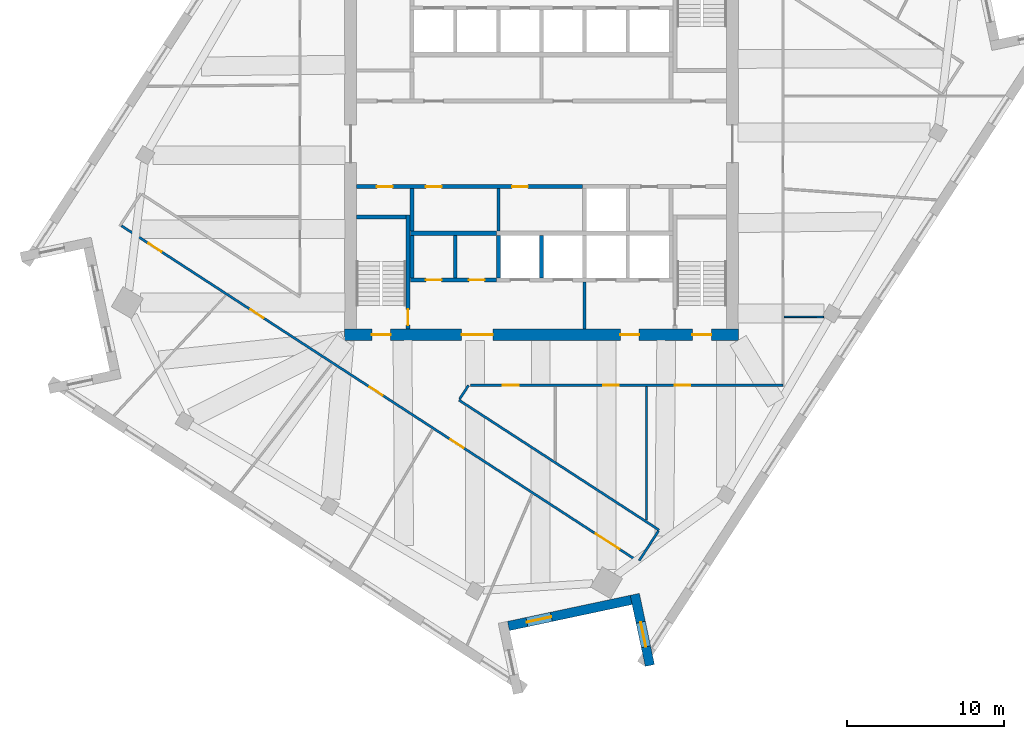
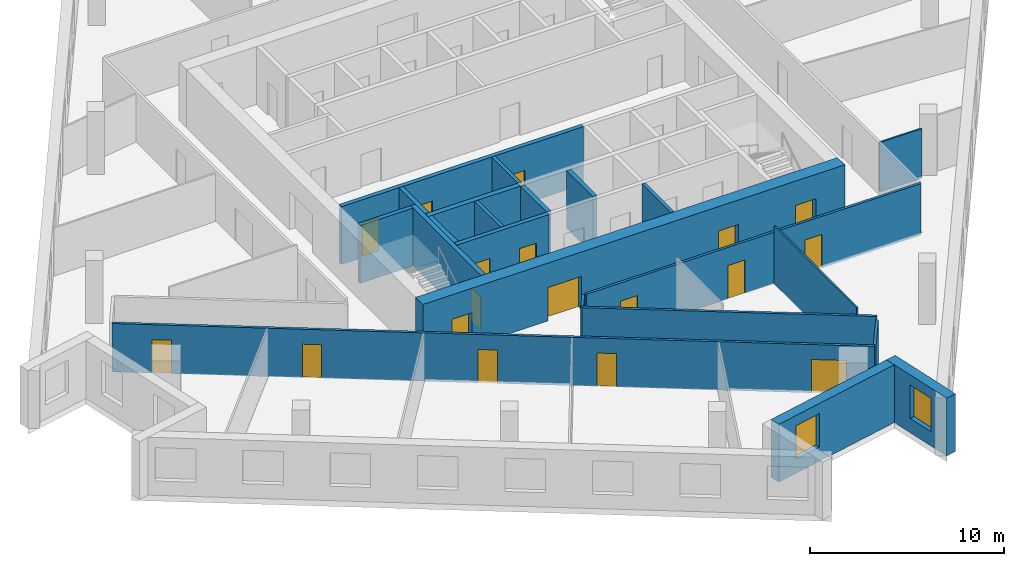
# One storey, part 6 of 12: 22 walls, 18 doors, 2 windows, 20 openings.
"""IFC4 building model written with IfcOpenShell, lengths in metres."""

from ifc_helpers import new_model, si_unit, direction, frame, frame_2d, origin, place, context, subcontext, project, spatial, rectangle, extrude, material, layer, layer_set, type_object, element, fill, save


model = new_model("IFC4")

# Units and contexts
model_context = context("Model", 3, precision=1e-05, world=origin(), true_north=direction((0.0, 1.0)))
body_context = subcontext(model_context, "Body", "Model", "MODEL_VIEW")
ifc_project = project(units=[si_unit("LENGTHUNIT", "METRE"), si_unit("AREAUNIT", "SQUARE_METRE"), si_unit("VOLUMEUNIT", "CUBIC_METRE"), si_unit("PLANEANGLEUNIT", "RADIAN"), si_unit("MASSUNIT", "GRAM", prefix="KILO")], contexts=[model_context])

# Site, building, storey
site_placement = place(None, origin())
site = spatial("IfcSite", under=ifc_project, at=site_placement, CompositionType="ELEMENT")
building_placement = place(site_placement, origin())
building = spatial("IfcBuilding", under=site, at=building_placement, Name="Dilmun Exchange Tower", CompositionType="ELEMENT")
storey_placement = place(building_placement, frame((0.0, 0.0, 254.89990234375)))
storey = spatial("IfcBuildingStorey", under=building, at=storey_placement, Name="L60", CompositionType="ELEMENT", Elevation=254.89990234375)

# Walls
ifc_material_1 = material(Name="Concrete C40/50", Category="concrete")
ifc_layer_1 = layer(ifc_material_1, 0.199951171875)
ifc_layer_set_1 = layer_set([ifc_layer_1], Name="Concrete C40/50")
wall_type_1 = type_object("IfcWallType", Name="Core partition wall 200", PredefinedType="PARTITIONING", material=ifc_layer_set_1)
wall_1_placement = place(storey_placement, frame((2.75, -11.794921875, 0.0), z_axis=(0.0, 0.0, 1.0), x_axis=(0.0, 1.0, 0.0)))
element("IfcWall", 1, at=wall_1_placement, inside=storey, type_object=wall_type_1, Name="L60 core partition wall 01", PredefinedType="PARTITIONING", context=body_context, shape_type="SweptSolid", body=[
    extrude(rectangle(XDim=2.989990234375, YDim=0.199951171875, at=frame_2d((1.4951171875, 0.0))), origin(), (0.0, 0.0, 1.0), 3.64013671875),
])
for number, where, z_axis, x_axis, name in (
    (2, (-5.5, -8.544921875, 0.0), (0.0, 0.0, 1.0), (0.0, 1.0, 0.0), "L60 core partition wall 04"),
    (3, (-2.75, -5.544921875, 0.0), (0.0, 0.0, 1.0), (0.0, 1.0, 0.0), "L60 core partition wall 07"),
):
    element("IfcWall", number, at=place(storey_placement, frame(where, z_axis=z_axis, x_axis=x_axis)), inside=storey, type_object=wall_type_1, Name=name, PredefinedType="PARTITIONING", context=body_context, shape_type="SweptSolid", body=[
        extrude(rectangle(XDim=2.68994140625, YDim=0.199951171875, at=frame_2d((1.344970703125, 0.0))), origin(), (0.0, 0.0, 1.0), 3.64013671875),
    ])

# Wall, openings, doors
ifc_layer_2 = layer(ifc_material_1, 0.25)
ifc_layer_set_2 = layer_set([ifc_layer_2], Name="Concrete C40/50")
wall_type_2 = type_object("IfcWallType", Name="Core partition wall 250", PredefinedType="PARTITIONING", material=ifc_layer_set_2)
wall_2_placement = place(storey_placement, frame((-8.3701171875, -8.675048828125, 0.0), z_axis=(0.0, 0.0, 1.0), x_axis=(1.0, 0.0, 0.0)))
wall_2 = element("IfcWall", 4, at=wall_2_placement, inside=storey, type_object=wall_type_2, Name="L60 core partition wall 02", PredefinedType="PARTITIONING", context=body_context, shape_type="SweptSolid", body=[
    extrude(rectangle(XDim=5.490234375, YDim=0.25, at=frame_2d((2.7451171875, 0.0))), origin(), (0.0, 0.0, 1.0), 3.64013671875),
])
opening_1_placement = place(wall_2_placement, frame((0.9951171875, 0.0, 0.0)))
opening_1 = element("IfcOpeningElement", 5, at=opening_1_placement, cuts=wall_2, Name="Opening CD4", PredefinedType="OPENING", context=body_context, shape_type="SweptSolid", body=[
    extrude(rectangle(XDim=1.0, YDim=2.10009765625, at=frame_2d((0.5, 1.050048828125))), frame((0.0, 0.135009765625, 0.0), z_axis=(0.0, -1.0, 0.0), x_axis=(1.0, 0.0, 0.0)), (0.0, 0.0, 1.0), 0.27001953125),
])
opening_2_placement = place(wall_2_placement, frame((3.7451171875, 0.0, 0.0)))
opening_2 = element("IfcOpeningElement", 6, at=opening_2_placement, cuts=wall_2, Name="Opening CD4", PredefinedType="OPENING", context=body_context, shape_type="SweptSolid", body=[
    extrude(rectangle(XDim=1.0, YDim=2.10009765625, at=frame_2d((0.5, 1.050048828125))), frame((0.0, 0.135009765625, 0.0), z_axis=(0.0, -1.0, 0.0), x_axis=(1.0, 0.0, 0.0)), (0.0, 0.0, 1.0), 0.27001953125),
])
ifc_material_2 = material(Name="Fire-rated steel door set", Category="steel")
door_type_1 = type_object("IfcDoorType", Name="Core room door 1000x2100", OperationType="SINGLE_SWING_LEFT", PredefinedType="DOOR", material=ifc_material_2)
door_1_placement = place(opening_1_placement, origin())
door_1 = element("IfcDoor", 7, at=door_1_placement, inside=storey, type_object=door_type_1, Name="L60 door Male WC", OperationType="SINGLE_SWING_LEFT", OverallHeight=2.10009765625, OverallWidth=1.0, PredefinedType="DOOR", context=body_context, shape_type="SweptSolid", body=[
    extrude(rectangle(XDim=1.0, YDim=2.10009765625, at=frame_2d((0.5, 1.050048828125))), frame((0.0, 0.02490234375, 0.0), z_axis=(0.0, -1.0, 0.0), x_axis=(1.0, 0.0, 0.0)), (0.0, 0.0, 1.0), 0.050048828125),
])
fill(opening_1, door_1)
door_2_placement = place(opening_2_placement, origin())
door_2 = element("IfcDoor", 8, at=door_2_placement, inside=storey, type_object=door_type_1, Name="L60 door Female WC", OperationType="SINGLE_SWING_LEFT", OverallHeight=2.10009765625, OverallWidth=1.0, PredefinedType="DOOR", context=body_context, shape_type="SweptSolid", body=[
    extrude(rectangle(XDim=1.0, YDim=2.10009765625, at=frame_2d((0.5, 1.050048828125))), frame((0.0, 0.02490234375, 0.0), z_axis=(0.0, -1.0, 0.0), x_axis=(1.0, 0.0, 0.0)), (0.0, 0.0, 1.0), 0.050048828125),
])
fill(opening_2, door_2)

# Walls
for number, where, z_axis, x_axis, name in (
    (9, (-8.25, -8.544921875, 0.0), (0.0, 0.0, 1.0), (0.0, 1.0, 0.0), "L60 core partition wall 03"),
    (10, (-8.25, -5.544921875, 0.0), (0.0, 0.0, 1.0), (0.0, 1.0, 0.0), "L60 core partition wall 06"),
):
    element("IfcWall", number, at=place(storey_placement, frame(where, z_axis=z_axis, x_axis=x_axis)), inside=storey, type_object=wall_type_2, Name=name, PredefinedType="PARTITIONING", context=body_context, shape_type="SweptSolid", body=[
        extrude(rectangle(XDim=2.68994140625, YDim=0.25, at=frame_2d((1.344970703125, 0.0))), origin(), (0.0, 0.0, 1.0), 3.64013671875),
    ])

# Wall, openings, doors
wall_3_placement = place(storey_placement, frame((-11.794921875, -2.72509765625, 0.0), z_axis=(0.0, 0.0, 1.0), x_axis=(1.0, 0.0, 0.0)))
wall_3 = element("IfcWall", 11, at=wall_3_placement, inside=storey, type_object=wall_type_2, Name="L60 core partition wall 09", PredefinedType="PARTITIONING", context=body_context, shape_type="SweptSolid", body=[
    extrude(rectangle(XDim=14.4150390625, YDim=0.25, at=frame_2d((7.20751953125, 0.0))), origin(), (0.0, 0.0, 1.0), 3.64013671875),
])
opening_3_placement = place(wall_3_placement, frame((1.294921875, 0.0, 0.0)))
opening_3 = element("IfcOpeningElement", 12, at=opening_3_placement, cuts=wall_3, Name="Opening CD4", PredefinedType="OPENING", context=body_context, shape_type="SweptSolid", body=[
    extrude(rectangle(XDim=1.0, YDim=2.10009765625, at=frame_2d((0.5, 1.050048828125))), frame((0.0, 0.135009765625, 0.0), z_axis=(0.0, -1.0, 0.0), x_axis=(1.0, 0.0, 0.0)), (0.0, 0.0, 1.0), 0.27001953125),
])
opening_4_placement = place(wall_3_placement, frame((4.419921875, 0.0, 0.0)))
opening_4 = element("IfcOpeningElement", 13, at=opening_4_placement, cuts=wall_3, Name="Opening CD4", PredefinedType="OPENING", context=body_context, shape_type="SweptSolid", body=[
    extrude(rectangle(XDim=1.0, YDim=2.10009765625, at=frame_2d((0.5, 1.050048828125))), frame((0.0, 0.135009765625, 0.0), z_axis=(0.0, -1.0, 0.0), x_axis=(1.0, 0.0, 0.0)), (0.0, 0.0, 1.0), 0.27001953125),
])
opening_5_placement = place(wall_3_placement, frame((9.919921875, 0.0, 0.0)))
opening_5 = element("IfcOpeningElement", 14, at=opening_5_placement, cuts=wall_3, Name="Opening CD4", PredefinedType="OPENING", context=body_context, shape_type="SweptSolid", body=[
    extrude(rectangle(XDim=1.0, YDim=2.10009765625, at=frame_2d((0.5, 1.050048828125))), frame((0.0, 0.135009765625, 0.0), z_axis=(0.0, -1.0, 0.0), x_axis=(1.0, 0.0, 0.0)), (0.0, 0.0, 1.0), 0.27001953125),
])
door_3_placement = place(opening_3_placement, origin())
door_3 = element("IfcDoor", 15, at=door_3_placement, inside=storey, type_object=door_type_1, Name="L60 door Accessible WC", OperationType="SINGLE_SWING_LEFT", OverallHeight=2.10009765625, OverallWidth=1.0, PredefinedType="DOOR", context=body_context, shape_type="SweptSolid", body=[
    extrude(rectangle(XDim=1.0, YDim=2.10009765625, at=frame_2d((0.5, 1.050048828125))), frame((0.0, 0.02490234375, 0.0), z_axis=(0.0, -1.0, 0.0), x_axis=(1.0, 0.0, 0.0)), (0.0, 0.0, 1.0), 0.050048828125),
])
fill(opening_3, door_3)
door_4_placement = place(opening_4_placement, origin())
door_4 = element("IfcDoor", 16, at=door_4_placement, inside=storey, type_object=door_type_1, Name="L60 door Switch room", OperationType="SINGLE_SWING_LEFT", OverallHeight=2.10009765625, OverallWidth=1.0, PredefinedType="DOOR", context=body_context, shape_type="SweptSolid", body=[
    extrude(rectangle(XDim=1.0, YDim=2.10009765625, at=frame_2d((0.5, 1.050048828125))), frame((0.0, 0.02490234375, 0.0), z_axis=(0.0, -1.0, 0.0), x_axis=(1.0, 0.0, 0.0)), (0.0, 0.0, 1.0), 0.050048828125),
])
fill(opening_4, door_4)
door_5_placement = place(opening_5_placement, origin())
door_5 = element("IfcDoor", 17, at=door_5_placement, inside=storey, type_object=door_type_1, Name="L60 door Print and mail room", OperationType="SINGLE_SWING_LEFT", OverallHeight=2.10009765625, OverallWidth=1.0, PredefinedType="DOOR", context=body_context, shape_type="SweptSolid", body=[
    extrude(rectangle(XDim=1.0, YDim=2.10009765625, at=frame_2d((0.5, 1.050048828125))), frame((0.0, 0.02490234375, 0.0), z_axis=(0.0, -1.0, 0.0), x_axis=(1.0, 0.0, 0.0)), (0.0, 0.0, 1.0), 0.050048828125),
])
fill(opening_5, door_5)

# Wall
ifc_layer_3 = layer(ifc_material_1, 0.300048828125)
ifc_layer_set_3 = layer_set([ifc_layer_3], Name="Concrete C40/50")
wall_type_3 = type_object("IfcWallType", Name="Core partition wall 300", PredefinedType="PARTITIONING", material=ifc_layer_set_3)
wall_4_placement = place(storey_placement, frame((-8.35009765625, -5.699951171875, 0.0), z_axis=(0.0, 0.0, 1.0), x_axis=(1.0, 0.0, 0.0)))
element("IfcWall", 18, at=wall_4_placement, inside=storey, type_object=wall_type_3, Name="L60 core partition wall 05", PredefinedType="PARTITIONING", context=body_context, shape_type="SweptSolid", body=[
    extrude(rectangle(XDim=5.47021484375, YDim=0.300048828125, at=frame_2d((2.735107421875, 0.0))), origin(), (0.0, 0.0, 1.0), 3.64013671875),
])

# Wall, openings, doors
ifc_material_3 = material(Name="Concrete C50/60", Category="concrete")
ifc_layer_4 = layer(ifc_material_3, 0.75)
ifc_layer_set_4 = layer_set([ifc_layer_4], Name="Concrete C50/60")
wall_type_4 = type_object("IfcWallType", Name="Core shear wall 750 Concrete C50/60", PredefinedType="SHEAR", material=ifc_layer_set_4)
wall_5_placement = place(storey_placement, frame((-12.550048828125, -12.175048828125, 0.0), z_axis=(0.0, 0.0, 1.0), x_axis=(1.0, 0.0, 0.0)))
wall_5 = element("IfcWall", 19, at=wall_5_placement, inside=storey, type_object=wall_type_4, Name="L60 core shear wall S", PredefinedType="SHEAR", context=body_context, shape_type="SweptSolid", body=[
    extrude(rectangle(XDim=25.10009765625, YDim=0.75, at=frame_2d((12.550048828125, 0.0))), origin(), (0.0, 0.0, 1.0), 3.64013671875),
])
opening_6_placement = place(wall_5_placement, frame((7.449951171875, 0.0, 0.0)))
opening_6 = element("IfcOpeningElement", 20, at=opening_6_placement, cuts=wall_5, Name="Opening CD2", PredefinedType="OPENING", context=body_context, shape_type="SweptSolid", body=[
    extrude(rectangle(XDim=2.0, YDim=2.10009765625, at=frame_2d((1.0, 1.050048828125))), frame((0.0, 0.385009765625, 0.0), z_axis=(0.0, -1.0, 0.0), x_axis=(1.0, 0.0, 0.0)), (0.0, 0.0, 1.0), 0.77001953125),
])
opening_7_placement = place(wall_5_placement, frame((17.574951171875, 0.0, 0.0)))
opening_7 = element("IfcOpeningElement", 21, at=opening_7_placement, cuts=wall_5, Name="Opening CD3", PredefinedType="OPENING", context=body_context, shape_type="SweptSolid", body=[
    extrude(rectangle(XDim=1.199951171875, YDim=2.10009765625, at=frame_2d((0.60009765625, 1.050048828125))), frame((0.0, 0.385009765625, 0.0), z_axis=(0.0, -1.0, 0.0), x_axis=(1.0, 0.0, 0.0)), (0.0, 0.0, 1.0), 0.77001953125),
])
opening_8_placement = place(wall_5_placement, frame((1.72509765625, 0.0, 0.0)))
opening_8 = element("IfcOpeningElement", 22, at=opening_8_placement, cuts=wall_5, Name="Opening CD3", PredefinedType="OPENING", context=body_context, shape_type="SweptSolid", body=[
    extrude(rectangle(XDim=1.199951171875, YDim=2.10009765625, at=frame_2d((0.60009765625, 1.050048828125))), frame((0.0, 0.385009765625, 0.0), z_axis=(0.0, -1.0, 0.0), x_axis=(1.0, 0.0, 0.0)), (0.0, 0.0, 1.0), 0.77001953125),
])
opening_9_placement = place(wall_5_placement, frame((22.175048828125, 0.0, 0.0)))
opening_9 = element("IfcOpeningElement", 23, at=opening_9_placement, cuts=wall_5, Name="Opening CD3", PredefinedType="OPENING", context=body_context, shape_type="SweptSolid", body=[
    extrude(rectangle(XDim=1.199951171875, YDim=2.10009765625, at=frame_2d((0.60009765625, 1.050048828125))), frame((0.0, 0.385009765625, 0.0), z_axis=(0.0, -1.0, 0.0), x_axis=(1.0, 0.0, 0.0)), (0.0, 0.0, 1.0), 0.77001953125),
])
door_type_2 = type_object("IfcDoorType", Name="Core service door 2000x2100", OperationType="DOUBLE_DOOR_DOUBLE_SWING", PredefinedType="DOOR", material=ifc_material_2)
door_6_placement = place(opening_6_placement, origin())
door_6 = element("IfcDoor", 24, at=door_6_placement, inside=storey, type_object=door_type_2, Name="L60 door South service lobby", OperationType="SINGLE_SWING_LEFT", OverallHeight=2.10009765625, OverallWidth=2.0, PredefinedType="DOOR", context=body_context, shape_type="SweptSolid", body=[
    extrude(rectangle(XDim=2.0, YDim=2.10009765625, at=frame_2d((1.0, 1.050048828125))), frame((0.0, 0.02490234375, 0.0), z_axis=(0.0, -1.0, 0.0), x_axis=(1.0, 0.0, 0.0)), (0.0, 0.0, 1.0), 0.050048828125),
])
fill(opening_6, door_6)
door_type_3 = type_object("IfcDoorType", Name="Stair exit door 1200x2100", OperationType="SINGLE_SWING_LEFT", PredefinedType="DOOR", material=ifc_material_2)
door_7_placement = place(opening_7_placement, origin())
door_7 = element("IfcDoor", 25, at=door_7_placement, inside=storey, type_object=door_type_3, Name="L60 door Fire-fighting lobby", OperationType="SINGLE_SWING_LEFT", OverallHeight=2.10009765625, OverallWidth=1.199951171875, PredefinedType="DOOR", context=body_context, shape_type="SweptSolid", body=[
    extrude(rectangle(XDim=1.199951171875, YDim=2.10009765625, at=frame_2d((0.60009765625, 1.050048828125))), frame((0.0, 0.02490234375, 0.0), z_axis=(0.0, -1.0, 0.0), x_axis=(1.0, 0.0, 0.0)), (0.0, 0.0, 1.0), 0.050048828125),
])
fill(opening_7, door_7)
door_8_placement = place(opening_8_placement, origin())
door_8 = element("IfcDoor", 26, at=door_8_placement, inside=storey, type_object=door_type_3, Name="L60 door Stair ST2", OperationType="SINGLE_SWING_LEFT", OverallHeight=2.10009765625, OverallWidth=1.199951171875, PredefinedType="DOOR", context=body_context, shape_type="SweptSolid", body=[
    extrude(rectangle(XDim=1.199951171875, YDim=2.10009765625, at=frame_2d((0.60009765625, 1.050048828125))), frame((0.0, 0.02490234375, 0.0), z_axis=(0.0, -1.0, 0.0), x_axis=(1.0, 0.0, 0.0)), (0.0, 0.0, 1.0), 0.050048828125),
])
fill(opening_8, door_8)
door_9_placement = place(opening_9_placement, origin())
door_9 = element("IfcDoor", 27, at=door_9_placement, inside=storey, type_object=door_type_3, Name="L60 door Stair ST3", OperationType="SINGLE_SWING_LEFT", OverallHeight=2.10009765625, OverallWidth=1.199951171875, PredefinedType="DOOR", context=body_context, shape_type="SweptSolid", body=[
    extrude(rectangle(XDim=1.199951171875, YDim=2.10009765625, at=frame_2d((0.60009765625, 1.050048828125))), frame((0.0, 0.02490234375, 0.0), z_axis=(0.0, -1.0, 0.0), x_axis=(1.0, 0.0, 0.0)), (0.0, 0.0, 1.0), 0.050048828125),
])
fill(opening_9, door_9)

ifc_material_4 = material(Name="Corridor wall 150")
ifc_layer_5 = layer(ifc_material_4, 0.14990234375)
ifc_layer_set_5 = layer_set([ifc_layer_5], Name="Corridor wall 150")
wall_type_5 = type_object("IfcWallType", Name="Corridor wall 150", PredefinedType="PARTITIONING", material=ifc_layer_set_5)
wall_6_placement = place(storey_placement, frame((-26.791015625, -5.220947265625, 0.0), z_axis=(0.0, 0.0, 1.0), x_axis=(0.838671905754, -0.544636974965, 0.0)))
wall_6 = element("IfcWall", 28, at=wall_6_placement, inside=storey, type_object=wall_type_5, Name="Corridor wall", PredefinedType="PARTITIONING", context=body_context, shape_type="SweptSolid", body=[
    extrude(rectangle(XDim=39.3251953125, YDim=0.14990234375, at=frame_2d((19.66259765625, 0.0))), origin(), (0.0, 0.0, 1.0), 3.0400390625),
])
opening_10_placement = place(wall_6_placement, frame((2.050048828125, 0.0, 0.0)))
opening_10 = element("IfcOpeningElement", 29, at=opening_10_placement, cuts=wall_6, Name="Opening TF60-D02", PredefinedType="OPENING", context=body_context, shape_type="SweptSolid", body=[
    extrude(rectangle(XDim=1.0, YDim=2.10009765625, at=frame_2d((0.5, 1.050048828125))), frame((0.0, 0.0849609375, 0.0), z_axis=(0.0, -1.0, 0.0), x_axis=(1.0, 0.0, 0.0)), (0.0, 0.0, 1.0), 0.169921875),
])
opening_11_placement = place(wall_6_placement, frame((9.807373046875, 0.0, 0.0)))
opening_11 = element("IfcOpeningElement", 30, at=opening_11_placement, cuts=wall_6, Name="Opening TF60-D03", PredefinedType="OPENING", context=body_context, shape_type="SweptSolid", body=[
    extrude(rectangle(XDim=1.0, YDim=2.10009765625, at=frame_2d((0.5, 1.050048828125))), frame((0.0, 0.0849609375, 0.0), z_axis=(0.0, -1.0, 0.0), x_axis=(1.0, 0.0, 0.0)), (0.0, 0.0, 1.0), 0.169921875),
])
opening_12_placement = place(wall_6_placement, frame((18.865966796875, 0.0, 0.0)))
opening_12 = element("IfcOpeningElement", 31, at=opening_12_placement, cuts=wall_6, Name="Opening TF60-D06", PredefinedType="OPENING", context=body_context, shape_type="SweptSolid", body=[
    extrude(rectangle(XDim=1.0, YDim=2.10009765625, at=frame_2d((0.5, 1.050048828125))), frame((0.0, 0.0849609375, 0.0), z_axis=(0.0, -1.0, 0.0), x_axis=(1.0, 0.0, 0.0)), (0.0, 0.0, 1.0), 0.169921875),
])
opening_13_placement = place(wall_6_placement, frame((25.009033203125, 0.0, 0.0)))
opening_13 = element("IfcOpeningElement", 32, at=opening_13_placement, cuts=wall_6, Name="Opening TF60-D07", PredefinedType="OPENING", context=body_context, shape_type="SweptSolid", body=[
    extrude(rectangle(XDim=1.0, YDim=2.10009765625, at=frame_2d((0.5, 1.050048828125))), frame((0.0, 0.0849609375, 0.0), z_axis=(0.0, -1.0, 0.0), x_axis=(1.0, 0.0, 0.0)), (0.0, 0.0, 1.0), 0.169921875),
])
opening_14_placement = place(wall_6_placement, frame((36.068603515625, 0.0, 0.0)))
opening_14 = element("IfcOpeningElement", 33, at=opening_14_placement, cuts=wall_6, Name="Opening TF60-D14", PredefinedType="OPENING", context=body_context, shape_type="SweptSolid", body=[
    extrude(rectangle(XDim=1.800048828125, YDim=2.10009765625, at=frame_2d((0.89990234375, 1.050048828125))), frame((0.0, 0.0849609375, 0.0), z_axis=(0.0, -1.0, 0.0), x_axis=(1.0, 0.0, 0.0)), (0.0, 0.0, 1.0), 0.169921875),
])
ifc_material_5 = material(Name="Fire door 1000 x 2100")
door_type_4 = type_object("IfcDoorType", Name="Fire door 1000 x 2100", OperationType="NOTDEFINED", PredefinedType="DOOR", material=ifc_material_5)
door_10_placement = place(opening_10_placement, frame((1.0, 0.0, 0.0), z_axis=(0.0, 0.0, 1.0), x_axis=(-1.0, 0.0, 0.0)))
door_10 = element("IfcDoor", 34, at=door_10_placement, inside=storey, type_object=door_type_4, Name="Door TF60-D02", OperationType="SINGLE_SWING_LEFT", OverallHeight=2.10009765625, OverallWidth=1.0, PredefinedType="DOOR", context=body_context, shape_type="SweptSolid", body=[
    extrude(rectangle(XDim=1.0, YDim=2.10009765625, at=frame_2d((0.5, 1.050048828125))), frame((0.0, 0.02490234375, 0.0), z_axis=(0.0, -1.0, 0.0), x_axis=(1.0, 0.0, 0.0)), (0.0, 0.0, 1.0), 0.050048828125),
])
fill(opening_10, door_10)
door_11_placement = place(opening_11_placement, frame((1.0, 0.0, 0.0), z_axis=(0.0, 0.0, 1.0), x_axis=(-1.0, 0.0, 0.0)))
door_11 = element("IfcDoor", 35, at=door_11_placement, inside=storey, type_object=door_type_4, Name="Door TF60-D03", OperationType="SINGLE_SWING_LEFT", OverallHeight=2.10009765625, OverallWidth=1.0, PredefinedType="DOOR", context=body_context, shape_type="SweptSolid", body=[
    extrude(rectangle(XDim=1.0, YDim=2.10009765625, at=frame_2d((0.5, 1.050048828125))), frame((0.0, 0.02490234375, 0.0), z_axis=(0.0, -1.0, 0.0), x_axis=(1.0, 0.0, 0.0)), (0.0, 0.0, 1.0), 0.050048828125),
])
fill(opening_11, door_11)
door_12_placement = place(opening_12_placement, frame((1.0, 0.0, 0.0), z_axis=(0.0, 0.0, 1.0), x_axis=(-1.0, 0.0, 0.0)))
door_12 = element("IfcDoor", 36, at=door_12_placement, inside=storey, type_object=door_type_4, Name="Door TF60-D06", OperationType="SINGLE_SWING_RIGHT", OverallHeight=2.10009765625, OverallWidth=1.0, PredefinedType="DOOR", context=body_context, shape_type="SweptSolid", body=[
    extrude(rectangle(XDim=1.0, YDim=2.10009765625, at=frame_2d((0.5, 1.050048828125))), frame((0.0, 0.02490234375, 0.0), z_axis=(0.0, -1.0, 0.0), x_axis=(1.0, 0.0, 0.0)), (0.0, 0.0, 1.0), 0.050048828125),
])
fill(opening_12, door_12)
door_13_placement = place(opening_13_placement, frame((1.0, 0.0, 0.0), z_axis=(0.0, 0.0, 1.0), x_axis=(-1.0, 0.0, 0.0)))
door_13 = element("IfcDoor", 37, at=door_13_placement, inside=storey, type_object=door_type_4, Name="Door TF60-D07", OperationType="SINGLE_SWING_RIGHT", OverallHeight=2.10009765625, OverallWidth=1.0, PredefinedType="DOOR", context=body_context, shape_type="SweptSolid", body=[
    extrude(rectangle(XDim=1.0, YDim=2.10009765625, at=frame_2d((0.5, 1.050048828125))), frame((0.0, 0.02490234375, 0.0), z_axis=(0.0, -1.0, 0.0), x_axis=(1.0, 0.0, 0.0)), (0.0, 0.0, 1.0), 0.050048828125),
])
fill(opening_13, door_13)
ifc_material_6 = material(Name="Fire door pair 1800 x 2100")
door_type_5 = type_object("IfcDoorType", Name="Fire door pair 1800 x 2100", OperationType="NOTDEFINED", PredefinedType="DOOR", material=ifc_material_6)
door_14_placement = place(opening_14_placement, frame((1.800048828125, 0.0, 0.0), z_axis=(0.0, 0.0, 1.0), x_axis=(-1.0, 0.0, 0.0)))
door_14 = element("IfcDoor", 38, at=door_14_placement, inside=storey, type_object=door_type_5, Name="Door TF60-D14", OperationType="DOUBLE_DOOR_SINGLE_SWING", OverallHeight=2.10009765625, OverallWidth=1.800048828125, PredefinedType="DOOR", context=body_context, shape_type="SweptSolid", body=[
    extrude(rectangle(XDim=1.800048828125, YDim=2.10009765625, at=frame_2d((0.89990234375, 1.050048828125))), frame((0.0, 0.02490234375, 0.0), z_axis=(0.0, -1.0, 0.0), x_axis=(1.0, 0.0, 0.0)), (0.0, 0.0, 1.0), 0.050048828125),
])
fill(opening_14, door_14)

# Walls
wall_7_placement = place(storey_placement, frame((-5.264892578125, -16.339111328125, 0.0), z_axis=(0.0, 0.0, 1.0), x_axis=(0.838696093785, -0.544599726653, 0.0)))
element("IfcWall", 39, at=wall_7_placement, inside=storey, type_object=wall_type_5, Name="Corridor wall", PredefinedType="PARTITIONING", context=body_context, shape_type="SweptSolid", body=[
    extrude(rectangle(XDim=15.216552734375, YDim=0.14990234375, at=frame_2d((7.6083984375, 0.0))), origin(), (0.0, 0.0, 1.0), 3.239990234375),
])
wall_8_placement = place(storey_placement, frame((-5.22412109375, -16.276123046875, 0.0), z_axis=(0.0, 0.0, 1.0), x_axis=(0.544684420792, 0.838641092331, 0.0)))
element("IfcWall", 40, at=wall_8_placement, inside=storey, type_object=wall_type_5, Name="Corridor wall", PredefinedType="PARTITIONING", context=body_context, shape_type="SweptSolid", body=[
    extrude(rectangle(XDim=1.044921875, YDim=0.14990234375, at=frame_2d((0.5224609375, 0.0))), origin(), (0.0, 0.0, 1.0), 3.239990234375),
])

# Wall, openings, doors
wall_9_placement = place(storey_placement, frame((-4.516845703125, -15.39990234375, 0.0), z_axis=(0.0, 0.0, 1.0), x_axis=(1.0, 0.0, 0.0)))
wall_9 = element("IfcWall", 41, at=wall_9_placement, inside=storey, type_object=wall_type_5, Name="Corridor wall", PredefinedType="PARTITIONING", context=body_context, shape_type="SweptSolid", body=[
    extrude(rectangle(XDim=19.916748046875, YDim=0.14990234375, at=frame_2d((9.95849609375, 0.0))), origin(), (0.0, 0.0, 1.0), 3.239990234375),
])
opening_15_placement = place(wall_9_placement, frame((2.050048828125, 0.0, 0.0)))
opening_15 = element("IfcOpeningElement", 42, at=opening_15_placement, cuts=wall_9, Name="Opening TF60-D11", PredefinedType="OPENING", context=body_context, shape_type="SweptSolid", body=[
    extrude(rectangle(XDim=1.0, YDim=2.10009765625, at=frame_2d((0.5, 1.050048828125))), frame((0.0, 0.0849609375, 0.0), z_axis=(0.0, -1.0, 0.0), x_axis=(1.0, 0.0, 0.0)), (0.0, 0.0, 1.0), 0.169921875),
])
opening_16_placement = place(wall_9_placement, frame((8.444091796875, 0.0, 0.0)))
opening_16 = element("IfcOpeningElement", 43, at=opening_16_placement, cuts=wall_9, Name="Opening TF60-D13", PredefinedType="OPENING", context=body_context, shape_type="SweptSolid", body=[
    extrude(rectangle(XDim=1.0, YDim=2.10009765625, at=frame_2d((0.5, 1.050048828125))), frame((0.0, 0.0849609375, 0.0), z_axis=(0.0, -1.0, 0.0), x_axis=(1.0, 0.0, 0.0)), (0.0, 0.0, 1.0), 0.169921875),
])
opening_17_placement = place(wall_9_placement, frame((13.013916015625, 0.0, 0.0)))
opening_17 = element("IfcOpeningElement", 44, at=opening_17_placement, cuts=wall_9, Name="Opening TF60-D15", PredefinedType="OPENING", context=body_context, shape_type="SweptSolid", body=[
    extrude(rectangle(XDim=1.0, YDim=2.10009765625, at=frame_2d((0.5, 1.050048828125))), frame((0.0, 0.0849609375, 0.0), z_axis=(0.0, -1.0, 0.0), x_axis=(1.0, 0.0, 0.0)), (0.0, 0.0, 1.0), 0.169921875),
])
door_15_placement = place(opening_15_placement, frame((1.0, 0.0, 0.0), z_axis=(0.0, 0.0, 1.0), x_axis=(-1.0, 0.0, 0.0)))
door_15 = element("IfcDoor", 45, at=door_15_placement, inside=storey, type_object=door_type_4, Name="Door TF60-D11", OperationType="SINGLE_SWING_RIGHT", OverallHeight=2.10009765625, OverallWidth=1.0, PredefinedType="DOOR", context=body_context, shape_type="SweptSolid", body=[
    extrude(rectangle(XDim=1.0, YDim=2.10009765625, at=frame_2d((0.5, 1.050048828125))), frame((0.0, 0.02490234375, 0.0), z_axis=(0.0, -1.0, 0.0), x_axis=(1.0, 0.0, 0.0)), (0.0, 0.0, 1.0), 0.050048828125),
])
fill(opening_15, door_15)
door_16_placement = place(opening_16_placement, frame((1.0, 0.0, 0.0), z_axis=(0.0, 0.0, 1.0), x_axis=(-1.0, 0.0, 0.0)))
door_16 = element("IfcDoor", 46, at=door_16_placement, inside=storey, type_object=door_type_4, Name="Door TF60-D13", OperationType="SINGLE_SWING_LEFT", OverallHeight=2.10009765625, OverallWidth=1.0, PredefinedType="DOOR", context=body_context, shape_type="SweptSolid", body=[
    extrude(rectangle(XDim=1.0, YDim=2.10009765625, at=frame_2d((0.5, 1.050048828125))), frame((0.0, 0.02490234375, 0.0), z_axis=(0.0, -1.0, 0.0), x_axis=(1.0, 0.0, 0.0)), (0.0, 0.0, 1.0), 0.050048828125),
])
fill(opening_16, door_16)
door_17_placement = place(opening_17_placement, frame((1.0, 0.0, 0.0), z_axis=(0.0, 0.0, 1.0), x_axis=(-1.0, 0.0, 0.0)))
door_17 = element("IfcDoor", 47, at=door_17_placement, inside=storey, type_object=door_type_4, Name="Door TF60-D15", OperationType="SINGLE_SWING_LEFT", OverallHeight=2.10009765625, OverallWidth=1.0, PredefinedType="DOOR", context=body_context, shape_type="SweptSolid", body=[
    extrude(rectangle(XDim=1.0, YDim=2.10009765625, at=frame_2d((0.5, 1.050048828125))), frame((0.0, 0.02490234375, 0.0), z_axis=(0.0, -1.0, 0.0), x_axis=(1.0, 0.0, 0.0)), (0.0, 0.0, 1.0), 0.050048828125),
])
fill(opening_17, door_17)

# Walls
wall_10_placement = place(storey_placement, frame((6.230712890625, -26.576171875, 0.0), z_axis=(0.0, 0.0, 1.0), x_axis=(0.54464508689, 0.838666637781, 0.0)))
element("IfcWall", 48, at=wall_10_placement, inside=storey, type_object=wall_type_5, Name="Corridor wall", PredefinedType="PARTITIONING", context=body_context, shape_type="SweptSolid", body=[
    extrude(rectangle(XDim=2.250244140625, YDim=0.14990234375, at=frame_2d((1.125, 0.0))), origin(), (0.0, 0.0, 1.0), 3.0400390625),
])
ifc_layer_6 = layer(ifc_material_1, 0.25)
ifc_layer_set_6 = layer_set([ifc_layer_6], Name="Concrete C40/50")
wall_type_6 = type_object("IfcWallType", Name="Lift shaft wall 250", PredefinedType="SOLIDWALL", material=ifc_layer_set_6)
for number, where, z_axis, x_axis, name in (
    (49, (-2.75, -8.550048828125, 0.0), (0.0, 0.0, 1.0), (0.0, 1.0, 0.0), "L60 lift shaft divider S22"),
    (50, (0.0, -8.550048828125, 0.0), (0.0, 0.0, 1.0), (0.0, 1.0, 0.0), "L60 lift shaft divider S23"),
):
    element("IfcWall", number, at=place(storey_placement, frame(where, z_axis=z_axis, x_axis=x_axis)), inside=storey, type_object=wall_type_6, Name=name, PredefinedType="SOLIDWALL", context=body_context, shape_type="SweptSolid", body=[
        extrude(rectangle(XDim=2.699951171875, YDim=0.25, at=frame_2d((1.35009765625, 0.0))), origin(), (0.0, 0.0, 1.0), 3.64013671875),
    ])
ifc_material_7 = material(Name="Partition 100")
ifc_layer_7 = layer(ifc_material_7, 0.10009765625)
ifc_layer_set_7 = layer_set([ifc_layer_7], Name="Partition 100")
wall_type_7 = type_object("IfcWallType", Name="Partition 100", PredefinedType="PARTITIONING", material=ifc_layer_set_7)
wall_11_placement = place(storey_placement, frame((6.697021484375, -23.984130859375, 0.0), z_axis=(0.0, 0.0, 1.0), x_axis=(0.0, 1.0, 0.0)))
element("IfcWall", 51, at=wall_11_placement, inside=storey, type_object=wall_type_7, Name="Partition", PredefinedType="PARTITIONING", context=body_context, shape_type="SweptSolid", body=[
    extrude(rectangle(XDim=8.509033203125, YDim=0.10009765625, at=frame_2d((4.25439453125, 0.0))), origin(), (0.0, 0.0, 1.0), 3.64013671875),
])
wall_12_placement = place(storey_placement, frame((15.47509765625, -11.0283203125, 0.0), z_axis=(0.0, 0.0, 1.0), x_axis=(0.999991302711, -0.004170671777, 0.0)))
element("IfcWall", 52, at=wall_12_placement, inside=storey, type_object=wall_type_7, Name="Partition", PredefinedType="PARTITIONING", context=body_context, shape_type="SweptSolid", body=[
    extrude(rectangle(XDim=2.51708984375, YDim=0.10009765625, at=frame_2d((1.258544921875, 0.0))), origin(), (0.0, 0.0, 1.0), 3.1201171875),
])

# Wall, opening, window
ifc_material_8 = material(Name="Precast concrete C50/60", Category="concrete")
ifc_layer_8 = layer(ifc_material_8, 0.60009765625)
ifc_layer_set_8 = layer_set([ifc_layer_8], Name="Precast concrete C50/60")
wall_type_8 = type_object("IfcWallType", Name="Precast stone-clad wall 600", PredefinedType="STANDARD", material=ifc_layer_set_8)
wall_13_placement = place(storey_placement, frame((-2.1083984375, -30.746337890625, 0.0), z_axis=(0.0, 0.0, 1.0), x_axis=(0.978146749934, 0.207915693476, 0.0)))
wall_13 = element("IfcWall", 53, at=wall_13_placement, inside=storey, type_object=wall_type_8, Name="Facade wall L60-09", PredefinedType="STANDARD", context=body_context, shape_type="SweptSolid", body=[
    extrude(rectangle(XDim=8.0, YDim=0.60009765625, at=frame_2d((4.0, 0.0))), origin(), (0.0, 0.0, 1.0), 3.64013671875),
])
opening_18_placement = place(wall_13_placement, frame((1.199951171875, 0.0, 0.89990234375)))
opening_18 = element("IfcOpeningElement", 54, at=opening_18_placement, cuts=wall_13, Name="Opening W160-210", PredefinedType="OPENING", context=body_context, shape_type="SweptSolid", body=[
    extrude(rectangle(XDim=1.60009765625, YDim=2.10009765625, at=frame_2d((0.800048828125, 1.050048828125))), frame((0.0, 0.31005859375, 0.0), z_axis=(0.0, -1.0, 0.0), x_axis=(1.0, 0.0, 0.0)), (0.0, 0.0, 1.0), 0.6201171875),
])
ifc_material_9 = material(Name="Clear low-emissivity glass in aluminium frame", Category="aluminium")
window_type = type_object("IfcWindowType", Name="Punched window 1600 x 2100", PartitioningType="DOUBLE_PANEL_VERTICAL", PredefinedType="WINDOW", material=ifc_material_9)
window_1_placement = place(opening_18_placement, origin())
window_1 = element("IfcWindow", 55, at=window_1_placement, inside=storey, type_object=window_type, Name="Window 10.1", OverallHeight=2.10009765625, OverallWidth=1.60009765625, PartitioningType="SINGLE_PANEL", PredefinedType="WINDOW", context=body_context, shape_type="SweptSolid", body=[
    extrude(rectangle(XDim=1.60009765625, YDim=2.10009765625, at=frame_2d((0.800048828125, 1.050048828125))), frame((0.0, 0.030029296875, 0.0), z_axis=(0.0, -1.0, 0.0), x_axis=(1.0, 0.0, 0.0)), (0.0, 0.0, 1.0), 0.06005859375),
])
fill(opening_18, window_1)

wall_14_placement = place(storey_placement, frame((5.947998046875, -28.727294921875, 0.0), z_axis=(0.0, 0.0, 1.0), x_axis=(0.207881432465, -0.978154031856, 0.0)))
wall_14 = element("IfcWall", 56, at=wall_14_placement, inside=storey, type_object=wall_type_8, Name="Facade wall L60-10", PredefinedType="STANDARD", context=body_context, shape_type="SweptSolid", body=[
    extrude(rectangle(XDim=4.635498046875, YDim=0.60009765625, at=frame_2d((2.31787109375, 0.0))), origin(), (0.0, 0.0, 1.0), 3.64013671875),
])
opening_19_placement = place(wall_14_placement, frame((1.81787109375, 0.0, 0.89990234375)))
opening_19 = element("IfcOpeningElement", 57, at=opening_19_placement, cuts=wall_14, Name="Opening W160-210", PredefinedType="OPENING", context=body_context, shape_type="SweptSolid", body=[
    extrude(rectangle(XDim=1.60009765625, YDim=2.10009765625, at=frame_2d((0.800048828125, 1.050048828125))), frame((0.0, 0.31005859375, 0.0), z_axis=(0.0, -1.0, 0.0), x_axis=(1.0, 0.0, 0.0)), (0.0, 0.0, 1.0), 0.6201171875),
])
window_2_placement = place(opening_19_placement, origin())
window_2 = element("IfcWindow", 58, at=window_2_placement, inside=storey, type_object=window_type, Name="Window 11.1", OverallHeight=2.10009765625, OverallWidth=1.60009765625, PartitioningType="SINGLE_PANEL", PredefinedType="WINDOW", context=body_context, shape_type="SweptSolid", body=[
    extrude(rectangle(XDim=1.60009765625, YDim=2.10009765625, at=frame_2d((0.800048828125, 1.050048828125))), frame((0.0, 0.030029296875, 0.0), z_axis=(0.0, -1.0, 0.0), x_axis=(1.0, 0.0, 0.0)), (0.0, 0.0, 1.0), 0.06005859375),
])
fill(opening_19, window_2)

# Wall
ifc_layer_9 = layer(ifc_material_1, 0.25)
ifc_layer_set_9 = layer_set([ifc_layer_9], Name="Concrete C40/50")
wall_type_9 = type_object("IfcWallType", Name="Stair end wall 250", PredefinedType="SOLIDWALL", material=ifc_layer_set_9)
wall_15_placement = place(storey_placement, frame((-8.64990234375, -4.675048828125, 0.0), z_axis=(0.0, 0.0, 1.0), x_axis=(-1.0, 0.0, 0.0)))
element("IfcWall", 59, at=wall_15_placement, inside=storey, type_object=wall_type_9, Name="L60 ST2 far wall", PredefinedType="SOLIDWALL", context=body_context, shape_type="SweptSolid", body=[
    extrude(rectangle(XDim=3.150146484375, YDim=0.25, at=frame_2d((1.5751953125, 0.0))), origin(), (0.0, 0.0, 1.0), 3.64013671875),
])

# Wall, opening, door
ifc_layer_10 = layer(ifc_material_1, 0.27490234375)
ifc_layer_set_10 = layer_set([ifc_layer_10], Name="Concrete C40/50")
wall_type_10 = type_object("IfcWallType", Name="Stair wall 275", PredefinedType="SOLIDWALL", material=ifc_layer_set_10)
wall_16_placement = place(storey_placement, frame((-8.512451171875, -4.550048828125, 0.0), z_axis=(0.0, 0.0, 1.0), x_axis=(0.0, -1.0, 0.0)))
wall_16 = element("IfcWall", 60, at=wall_16_placement, inside=storey, type_object=wall_type_10, Name="L60 ST2 wall to lift block", PredefinedType="SOLIDWALL", context=body_context, shape_type="SweptSolid", body=[
    extrude(rectangle(XDim=7.25, YDim=0.27490234375, at=frame_2d((3.625, 0.0))), origin(), (0.0, 0.0, 1.0), 3.64013671875),
])
opening_20_placement = place(wall_16_placement, frame((6.0, 0.0, 0.0)))
opening_20 = element("IfcOpeningElement", 61, at=opening_20_placement, cuts=wall_16, Name="Opening CD4", PredefinedType="OPENING", context=body_context, shape_type="SweptSolid", body=[
    extrude(rectangle(XDim=1.0, YDim=2.10009765625, at=frame_2d((0.5, 1.050048828125))), frame((0.0, 0.1474609375, 0.0), z_axis=(0.0, -1.0, 0.0), x_axis=(1.0, 0.0, 0.0)), (0.0, 0.0, 1.0), 0.294921875),
])
door_18_placement = place(opening_20_placement, origin())
door_18 = element("IfcDoor", 62, at=door_18_placement, inside=storey, type_object=door_type_1, Name="L60 door ST2 from lobby", OperationType="SINGLE_SWING_LEFT", OverallHeight=2.10009765625, OverallWidth=1.0, PredefinedType="DOOR", context=body_context, shape_type="SweptSolid", body=[
    extrude(rectangle(XDim=1.0, YDim=2.10009765625, at=frame_2d((0.5, 1.050048828125))), frame((0.0, 0.02490234375, 0.0), z_axis=(0.0, -1.0, 0.0), x_axis=(1.0, 0.0, 0.0)), (0.0, 0.0, 1.0), 0.050048828125),
])
fill(opening_20, door_18)

save(model, "model.ifc")
